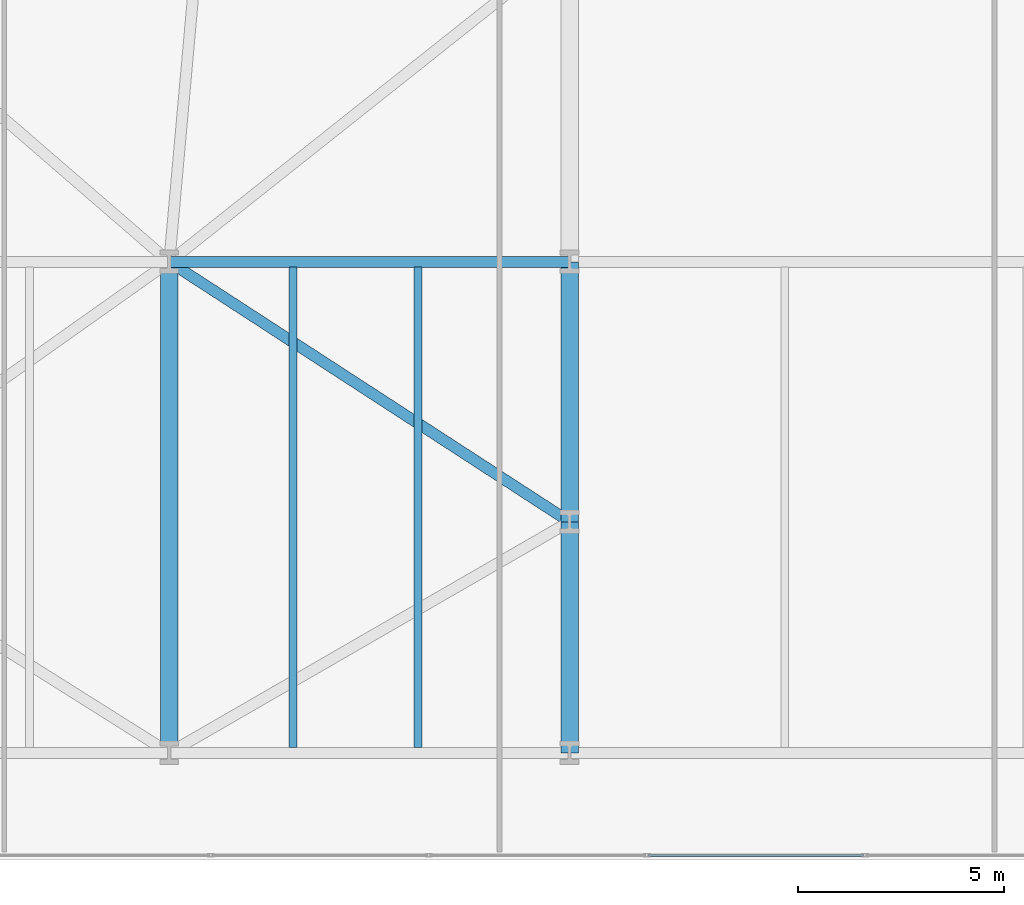
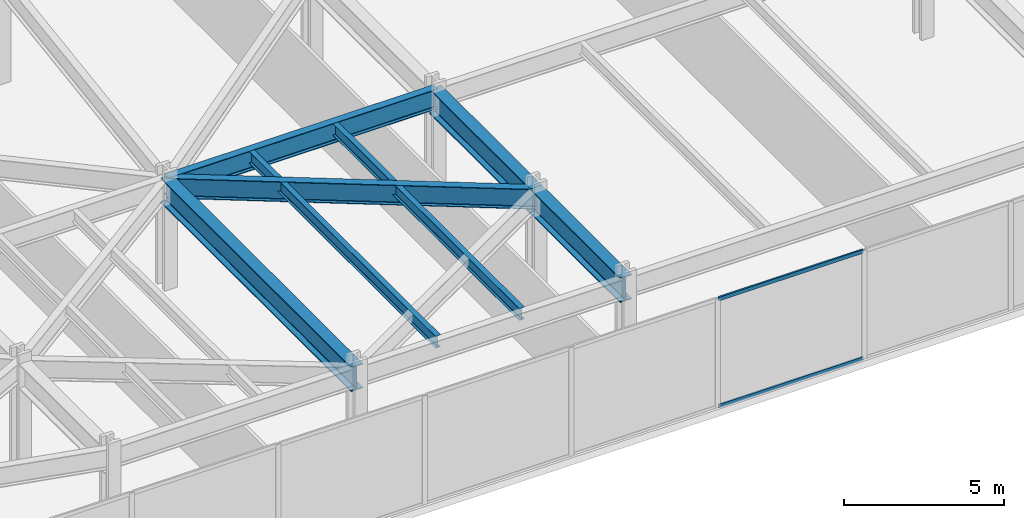
# One storey, part 7 of 30: 7 beams, 2 members, 1 element without a shape of its own.
"""IFC4 building model written with IfcOpenShell, lengths in metres."""

from ifc_helpers import new_model, si_unit, direction, frame, origin, origin_2d, place, context, subcontext, project, spatial, hollow_rectangle, i_section, extrude, material, layer, layer_set, material_profile, profile_set, type_object, element, aggregate, save


model = new_model("IFC4")

# Units and contexts
model_context = context("Model", 3, precision=1e-05, world=origin(), true_north=direction((0.0, 1.0)))
body_context = subcontext(model_context, "Body", "Model", "MODEL_VIEW")
ifc_project = project(units=[si_unit("LENGTHUNIT", "METRE"), si_unit("AREAUNIT", "SQUARE_METRE"), si_unit("VOLUMEUNIT", "CUBIC_METRE"), si_unit("PLANEANGLEUNIT", "RADIAN"), si_unit("MASSUNIT", "GRAM", prefix="KILO")], contexts=[model_context])

# Site, building, storey
site_placement = place(None, origin())
site = spatial("IfcSite", under=ifc_project, at=site_placement, CompositionType="ELEMENT")
building_placement = place(site_placement, origin())
building = spatial("IfcBuilding", under=site, at=building_placement, Name="Kravanh Interchange Tower", CompositionType="ELEMENT")
storey_placement = place(building_placement, frame((0.0, 0.0, 19.800048828125)))
storey = spatial("IfcBuildingStorey", under=building, at=storey_placement, Name="L04", CompositionType="ELEMENT", Elevation=19.800048828125)

# Curtain wall, members
ifc_material_1 = material(Name="Anodised Bronze Aluminium", Category="aluminium")
ifc_layer = layer(ifc_material_1, 0.179931640625)
ifc_layer_set = layer_set([ifc_layer], Name="Unitised Curtain Wall System CW-POD Podium Concourse")
curtain_wall_type = type_object("IfcCurtainWallType", Name="Unitised Curtain Wall System CW-POD Podium Concourse", PredefinedType="NOTDEFINED", material=ifc_layer_set)
curtain_wall_placement = place(storey_placement, origin())
curtain_wall = element("IfcCurtainWall", 1, at=curtain_wall_placement, inside=storey, type_object=curtain_wall_type, Name="L04 Unitised Curtain Wall CW-L04-04", PredefinedType="NOTDEFINED")
ifc_material_2 = material(Name="Anodised Bronze Aluminium", Category="aluminium")
ifc_material_profile_1 = material_profile(ifc_material_2, hollow_rectangle(XDim=0.06005859375, YDim=0.139892578125, WallThickness=0.00390625, at=origin_2d()), Name="ALU60X140X4")
ifc_profile_set_1 = profile_set([ifc_material_profile_1], Name="Anodised Bronze Aluminium")
member_type = type_object("IfcMemberType", Name="Curtain Wall Transom ALU60X140X4 Bronze", PredefinedType="USERDEFINED", material=ifc_profile_set_1)
member_1_placement = place(storey_placement, frame((34.32275390625, 0.1201171875, 0.030029296875), z_axis=(-1.0, 0.0, 0.0), x_axis=(0.0, -1.0, 0.0)))
member_1 = element("IfcMember", 2, at=member_1_placement, type_object=member_type, Name="CW-POD transom 8.1", ObjectType="TRANSOM", PredefinedType="USERDEFINED", context=body_context, shape_type="SweptSolid", body=[
    extrude(hollow_rectangle(XDim=0.06005859375, YDim=0.139892578125, WallThickness=0.00390625, at=origin_2d()), origin(), (0.0, 0.0, 1.0), 5.21484375),
])
member_2_placement = place(storey_placement, frame((34.32275390625, 0.1201171875, 4.119873046875), z_axis=(-1.0, 0.0, 0.0), x_axis=(0.0, -1.0, 0.0)))
member_2 = element("IfcMember", 3, at=member_2_placement, type_object=member_type, Name="CW-POD transom 8.2", ObjectType="TRANSOM", PredefinedType="USERDEFINED", context=body_context, shape_type="SweptSolid", body=[
    extrude(hollow_rectangle(XDim=0.06005859375, YDim=0.139892578125, WallThickness=0.00390625, at=origin_2d()), origin(), (0.0, 0.0, 1.0), 5.21484375),
])
aggregate(curtain_wall, [member_1, member_2])

# Beams
ifc_material_3 = material(Name="Structural Steel S450", Category="steel")
ifc_material_profile_2 = material_profile(ifc_material_3, i_section(OverallWidth=0.423095703125, OverallDepth=0.947998046875, WebThickness=0.02392578125, FlangeThickness=0.042724609375, FilletRadius=0.028076171875, at=origin_2d()), Name="W36X302")
ifc_profile_set_2 = profile_set([ifc_material_profile_2], Name="Structural Steel S450")
beam_type_1 = type_object("IfcBeamType", Name="Floor Beam W36X302 Structural Steel S450", PredefinedType="BEAM", material=ifc_profile_set_2)
beam_1_placement = place(storey_placement, frame((17.5, 2.60009765625, 3.676025390625), z_axis=(0.0, 1.0, 0.0), x_axis=(-1.0, 0.0, 0.0)))
element("IfcBeam", 4, at=beam_1_placement, inside=storey, type_object=beam_type_1, Name="L04 Primary Floor Girder 7", PredefinedType="BEAM", context=body_context, shape_type="SweptSolid", body=[
    extrude(i_section(OverallWidth=0.423095703125, OverallDepth=0.947998046875, WebThickness=0.02392578125, FlangeThickness=0.042724609375, FilletRadius=0.028076171875, at=origin_2d()), origin(), (0.0, 0.0, 1.0), 11.89990234375),
])
beam_2_placement = place(storey_placement, frame((27.199951171875, 2.60009765625, 3.676025390625), z_axis=(0.0, 1.0, 0.0), x_axis=(-1.0, 0.0, 0.0)))
element("IfcBeam", 5, at=beam_2_placement, inside=storey, type_object=beam_type_1, Name="L04 Primary Floor Girder 8", PredefinedType="BEAM", context=body_context, shape_type="SweptSolid", body=[
    extrude(i_section(OverallWidth=0.423095703125, OverallDepth=0.947998046875, WebThickness=0.02392578125, FlangeThickness=0.042724609375, FilletRadius=0.028076171875, at=origin_2d()), origin(), (0.0, 0.0, 1.0), 5.599853515625),
])
beam_3_placement = place(storey_placement, frame((27.199951171875, 8.199951171875, 3.676025390625), z_axis=(0.0, 1.0, 0.0), x_axis=(-1.0, 0.0, 0.0)))
element("IfcBeam", 6, at=beam_3_placement, inside=storey, type_object=beam_type_1, Name="L04 Primary Floor Girder 27", PredefinedType="BEAM", context=body_context, shape_type="SweptSolid", body=[
    extrude(i_section(OverallWidth=0.423095703125, OverallDepth=0.947998046875, WebThickness=0.02392578125, FlangeThickness=0.042724609375, FilletRadius=0.028076171875, at=origin_2d()), origin(), (0.0, 0.0, 1.0), 6.300048828125),
])
ifc_material_4 = material(Name="Structural Steel S355", Category="steel")
ifc_material_profile_3 = material_profile(ifc_material_4, i_section(OverallWidth=0.18994140625, OverallDepth=0.45703125, WebThickness=0.009033203125, FlangeThickness=0.014404296875, FilletRadius=0.01806640625, at=origin_2d()), Name="W18X50")
ifc_profile_set_3 = profile_set([ifc_material_profile_3], Name="Structural Steel S355")
beam_type_2 = type_object("IfcBeamType", Name="Floor Joist W18X50 Structural Steel S355", PredefinedType="JOIST", material=ifc_profile_set_3)
for number, where, z_axis, x_axis, name in (
    (7, (20.501953125, 2.728515625, 3.92138671875), (0.0, 1.0, 0.0), (-1.0, 0.0, 0.0), "L04 Secondary Floor Joist 3"),
    (8, (23.52587890625, 2.728515625, 3.92138671875), (0.0, 1.0, 0.0), (-1.0, 0.0, 0.0), "L04 Secondary Floor Joist 4"),
):
    element("IfcBeam", number, at=place(storey_placement, frame(where, z_axis=z_axis, x_axis=x_axis)), inside=storey, type_object=beam_type_2, Name=name, PredefinedType="JOIST", context=body_context, shape_type="SweptSolid", body=[
        extrude(i_section(OverallWidth=0.18994140625, OverallDepth=0.45703125, WebThickness=0.009033203125, FlangeThickness=0.014404296875, FilletRadius=0.01806640625, at=origin_2d()), origin(), (0.0, 0.0, 1.0), 11.64306640625),
    ])
ifc_material_5 = material(Name="Structural Steel S355", Category="steel")
ifc_material_profile_4 = material_profile(ifc_material_5, i_section(OverallWidth=0.26708984375, OverallDepth=0.761962890625, WebThickness=0.014404296875, FlangeThickness=0.021484375, FilletRadius=0.02490234375, at=origin_2d()), Name="W30X116")
ifc_profile_set_4 = profile_set([ifc_material_profile_4], Name="Structural Steel S355")
beam_type_3 = type_object("IfcBeamType", Name="Floor Spandrel W30X116 Structural Steel S355", PredefinedType="SPANDREL", material=ifc_profile_set_4)
beam_4_placement = place(storey_placement, frame((27.199951171875, 8.199951171875, 3.76904296875), z_axis=(-0.838637911458, 0.544689318295, 0.0), x_axis=(-0.544689318295, -0.838637911458, 0.0)))
element("IfcBeam", 9, at=beam_4_placement, inside=storey, type_object=beam_type_3, Name="L04 Perimeter Spandrel 28", PredefinedType="SPANDREL", context=body_context, shape_type="SweptSolid", body=[
    extrude(i_section(OverallWidth=0.26708984375, OverallDepth=0.761962890625, WebThickness=0.014404296875, FlangeThickness=0.021484375, FilletRadius=0.02490234375, at=origin_2d()), origin(), (0.0, 0.0, 1.0), 11.56640625),
])
beam_5_placement = place(storey_placement, frame((17.5, 14.5, 3.76904296875), z_axis=(1.0, 0.0, 0.0), x_axis=(0.0, 1.0, 0.0)))
element("IfcBeam", 10, at=beam_5_placement, inside=storey, type_object=beam_type_3, Name="L04 Perimeter Spandrel 41", PredefinedType="SPANDREL", context=body_context, shape_type="SweptSolid", body=[
    extrude(i_section(OverallWidth=0.26708984375, OverallDepth=0.761962890625, WebThickness=0.014404296875, FlangeThickness=0.021484375, FilletRadius=0.02490234375, at=origin_2d()), origin(), (0.0, 0.0, 1.0), 9.699951171875),
])

save(model, "model.ifc")
